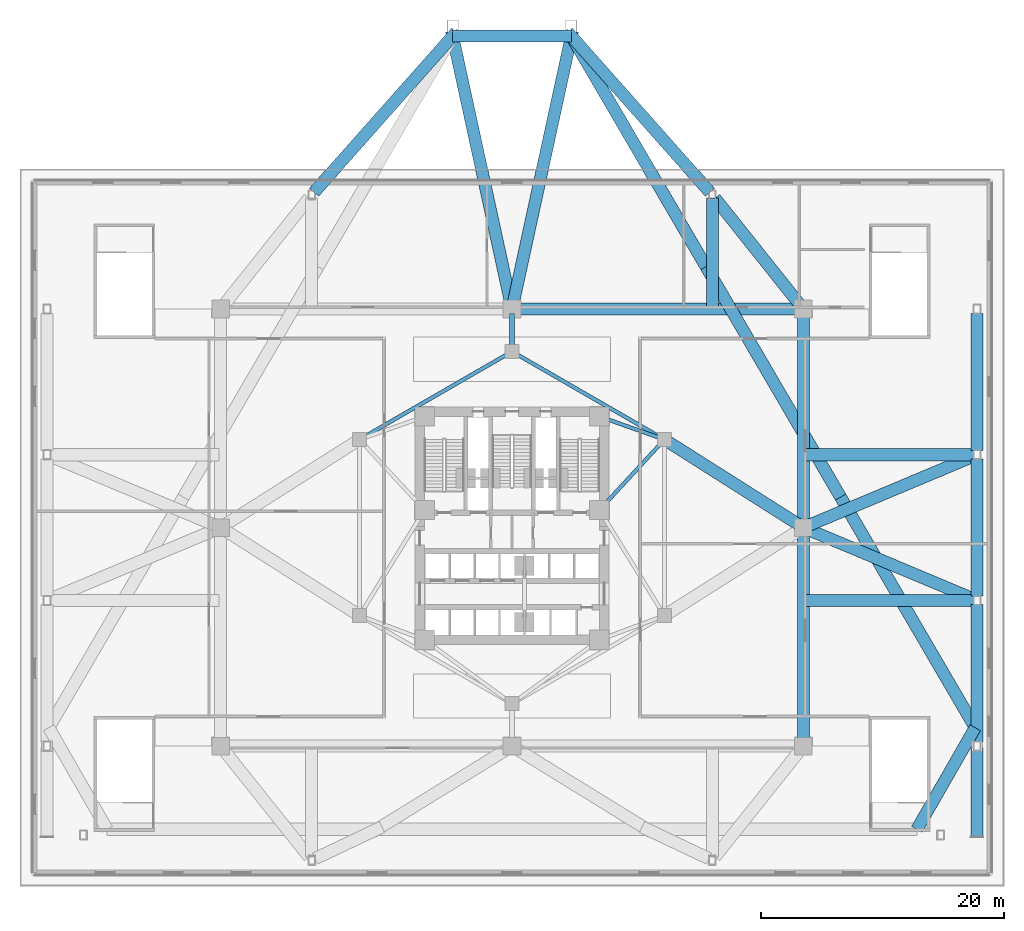
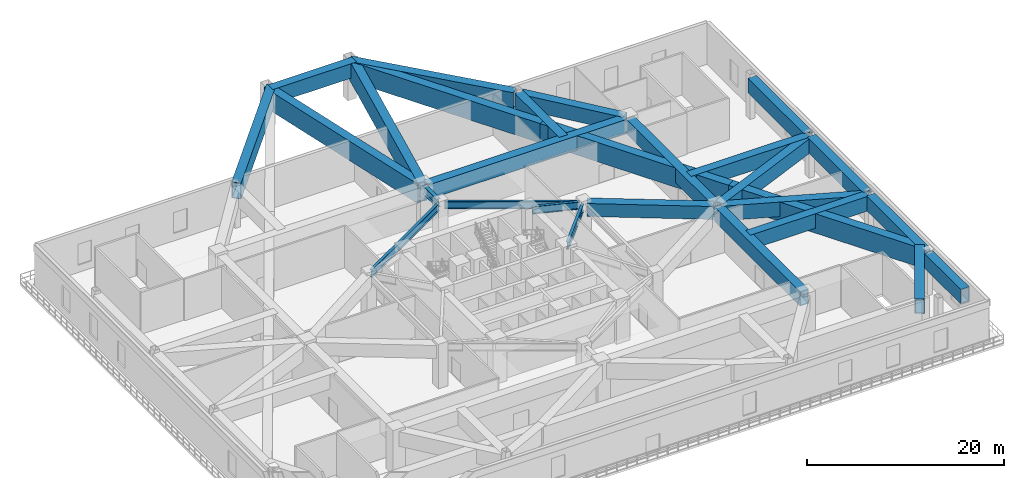
# One storey, part 2 of 15: 28 beams.
"""IFC4 building model written with IfcOpenShell, lengths in metres."""

import ifcopenshell
import ifcopenshell.guid

model = None  # the IFC model being written
_history = None  # IfcOwnerHistory: only IFC2X3 demands one
_inside = {}  # id of a spatial element -> (the spatial element, [elements in it])
_under = {}  # id of a project, library or spatial element -> (it, [spatial elements below it])
_declared = {}  # id of a project -> (the project, [libraries it declares])
_typed = {}  # id of a type object -> (the type object, [elements of that type])
_made_of = {}  # id of a material, layer set ... -> (it, [elements and type objects made of it])


def new_model(schema):
    """Start an empty IFC model of exactly this schema.

    Asked for "IFC4X3", IfcOpenShell would pick the latest addendum, in which some entities
    have other attributes; the version numbers below select the first issue.
    IFC2X3 requires an IfcOwnerHistory on every rooted entity: one is made here for all.
    """
    global model, _history
    if schema == "IFC4X3":
        model = ifcopenshell.file(schema_version=(4, 3, 0, 0))
    else:
        model = ifcopenshell.file(schema=schema)
    _inside.clear()
    _under.clear()
    _declared.clear()
    _typed.clear()
    _made_of.clear()
    _history = None
    if model.schema == "IFC2X3":
        org = make("IfcOrganization", Name="unknown")
        user = make(
            "IfcPersonAndOrganization",
            ThePerson=make("IfcPerson", FamilyName="unknown"),
            TheOrganization=org,
        )
        app = make(
            "IfcApplication",
            ApplicationDeveloper=org,
            Version="unknown",
            ApplicationFullName="unknown",
            ApplicationIdentifier="unknown",
        )
        _history = make(
            "IfcOwnerHistory",
            OwningUser=user,
            OwningApplication=app,
            ChangeAction="ADDED",
            CreationDate=0,
        )
    return model


def make(cls, **values):
    """One entity of the class cls with the attributes given. An attribute that is None is left unset."""
    return model.create_entity(
        cls, **{name: value for name, value in values.items() if value is not None}
    )


def rooted(cls, **values):
    """An entity with a GlobalId (a new one), such as an element, a storey or a relation."""
    return make(cls, GlobalId=ifcopenshell.guid.new(), OwnerHistory=_history, **values)


def si_unit(unit_type, name, prefix=None):
    """IfcSIUnit, for example si_unit("LENGTHUNIT", "METRE", prefix="MILLI")."""
    return make("IfcSIUnit", UnitType=unit_type, Prefix=prefix, Name=name)


def assignment(units):
    """IfcUnitAssignment: the units of a project."""
    return None if units is None else make("IfcUnitAssignment", Units=units)


def point(xyz):
    """IfcCartesianPoint."""
    return None if xyz is None else make("IfcCartesianPoint", Coordinates=xyz)


def direction(xyz):
    """IfcDirection."""
    return None if xyz is None else make("IfcDirection", DirectionRatios=xyz)


def frame(location, z_axis=None, x_axis=None):
    """IfcAxis2Placement3D, a coordinate frame: its origin and axes. An axis left out is left unset."""
    return make(
        "IfcAxis2Placement3D",
        Location=point(location),
        Axis=direction(z_axis),
        RefDirection=direction(x_axis),
    )


def frame_2d(location, x_axis=None):
    """IfcAxis2Placement2D, a coordinate frame in the plane: its origin and x axis."""
    return make(
        "IfcAxis2Placement2D", Location=point(location), RefDirection=direction(x_axis)
    )


def origin():
    """The frame at (0, 0, 0) with its axes left unset."""
    return frame((0.0, 0.0, 0.0))


def origin_2d():
    """The frame at (0, 0) in the plane with its x axis left unset."""
    return frame_2d((0.0, 0.0))


def place(relative_to, where):
    """IfcLocalPlacement: puts the frame where relative to a parent placement (None: the world)."""
    return make(
        "IfcLocalPlacement", PlacementRelTo=relative_to, RelativePlacement=where
    )


def context(
    kind, dimensions, precision=None, world=None, true_north=None, identifier=None
):
    """IfcGeometricRepresentationContext, for example the 3D "Model" context."""
    return make(
        "IfcGeometricRepresentationContext",
        ContextIdentifier=identifier,
        ContextType=kind,
        CoordinateSpaceDimension=dimensions,
        Precision=precision,
        WorldCoordinateSystem=world,
        TrueNorth=true_north,
    )


def subcontext(parent, identifier, kind, view, scale=None):
    """IfcGeometricRepresentationSubContext, for example "Body" below "Model"."""
    return make(
        "IfcGeometricRepresentationSubContext",
        ContextIdentifier=identifier,
        ContextType=kind,
        ParentContext=parent,
        TargetScale=scale,
        TargetView=view,
    )


def project(units=None, contexts=None):
    """IfcProject with its units and contexts."""
    return rooted(
        "IfcProject",
        Name="project",
        RepresentationContexts=contexts,
        UnitsInContext=assignment(units),
    )


def spatial(cls, under=None, at=None, **own):
    """A site, building, storey or space (cls), placed at a placement, below another one or the project."""
    s = rooted(cls, ObjectPlacement=at, **own)
    if under is not None:
        _under.setdefault(under.id(), (under, []))[1].append(s)
    return s


def profile(cls, at=None, kind="AREA", **sizes):
    """A parametric profile (cls). Its sizes go by their IFC names, for example OverallWidth=200.0."""
    return make(cls, ProfileType=kind, Position=at, **sizes)


def hollow_rectangle(**sizes):
    """IfcRectangleHollowProfileDef."""
    return profile("IfcRectangleHollowProfileDef", **sizes)


def i_section(**sizes):
    """IfcIShapeProfileDef."""
    return profile("IfcIShapeProfileDef", **sizes)


def extrude(swept, where, along, depth):
    """IfcExtrudedAreaSolid: the profile swept, set in the frame where, extruded along a direction by depth."""
    return make(
        "IfcExtrudedAreaSolid",
        SweptArea=swept,
        Position=where,
        ExtrudedDirection=direction(along),
        Depth=depth,
    )


def shape(context_of_items, identifier, shape_type, items):
    """IfcShapeRepresentation: the items that make up one representation, for example the "Body"."""
    return make(
        "IfcShapeRepresentation",
        ContextOfItems=context_of_items,
        RepresentationIdentifier=identifier,
        RepresentationType=shape_type,
        Items=items,
    )


def material(Name=None, Category=None):
    """IfcMaterial."""
    return make("IfcMaterial", Name=Name, Category=Category)


def material_profile(
    of_material, cross_section, Name=None, Category=None, Priority=None
):
    """IfcMaterialProfile: a cross section and its material."""
    return make(
        "IfcMaterialProfile",
        Name=Name,
        Material=of_material,
        Profile=cross_section,
        Priority=Priority,
        Category=Category,
    )


def profile_set(profiles, Name=None, composite=None):
    """IfcMaterialProfileSet."""
    return make(
        "IfcMaterialProfileSet",
        Name=Name,
        MaterialProfiles=profiles,
        CompositeProfile=composite,
    )


def made_of(thing, what):
    """Note that an element or type object is made of a material, layer set ...; save() writes the relation."""
    if what is not None:
        _made_of.setdefault(what.id(), (what, []))[1].append(thing)
    return thing


def type_object(cls, material=None, **own):
    """A type object (cls), such as IfcWallType, which elements share."""
    return made_of(rooted(cls, **own), material)


def element(
    cls,
    number,
    at=None,
    inside=None,
    cuts=None,
    type_object=None,
    material=None,
    context=None,
    identifier="Body",
    shape_type=None,
    held_by="IfcProductDefinitionShape",
    body=None,
    shapes=None,
    **own,
):
    """One element of the class cls, such as IfcWall. Its Tag is "e" and its number.

    at: its placement. inside: the storey or other place that contains it. cuts: it is an
    opening in that element (IfcRelVoidsElement). A single representation is given by context,
    identifier, shape_type and body (its items); several are given by shapes. held_by: the class
    of the entity that holds the representations. save() writes the other relations.
    """
    e = rooted(cls, Tag="e%d" % number, ObjectPlacement=at, **own)
    if body is not None:
        shapes = [shape(context, identifier, shape_type, body)]
    if shapes is not None:
        e.Representation = make(held_by, Representations=shapes)
    if inside is not None:
        _inside.setdefault(inside.id(), (inside, []))[1].append(e)
    if cuts is not None:
        rooted(
            "IfcRelVoidsElement", RelatingBuildingElement=cuts, RelatedOpeningElement=e
        )
    if type_object is not None:
        _typed.setdefault(type_object.id(), (type_object, []))[1].append(e)
    return made_of(e, material)


def aggregate(whole, parts):
    """IfcRelAggregates: a whole, such as a stair, and the parts it consists of."""
    return rooted("IfcRelAggregates", RelatingObject=whole, RelatedObjects=parts)


def save(model, path):
    """Write the relations noted so far, then the file.

    IfcRelAggregates (storeys below a building ...), IfcRelContainedInSpatialStructure (elements
    in a storey), IfcRelDefinesByType, IfcRelAssociatesMaterial and IfcRelDeclares: one each for
    every whole, place, type object, material and project.
    """
    for whole, parts in _under.values():
        aggregate(whole, parts)
    for where, things in _inside.values():
        rooted(
            "IfcRelContainedInSpatialStructure",
            RelatedElements=things,
            RelatingStructure=where,
        )
    for kind, things in _typed.values():
        rooted("IfcRelDefinesByType", RelatedObjects=things, RelatingType=kind)
    for what, things in _made_of.values():
        rooted("IfcRelAssociatesMaterial", RelatedObjects=things, RelatingMaterial=what)
    for by, libraries in _declared.values():
        rooted("IfcRelDeclares", RelatingContext=by, RelatedDefinitions=libraries)
    model.write(path)


model = new_model("IFC4")

# Units and contexts
model_context = context("Model", 3, precision=1e-05, world=origin(), true_north=direction((0.0, 1.0)))
body_context = subcontext(model_context, "Body", "Model", "MODEL_VIEW")
ifc_project = project(units=[si_unit("LENGTHUNIT", "METRE"), si_unit("AREAUNIT", "SQUARE_METRE"), si_unit("VOLUMEUNIT", "CUBIC_METRE"), si_unit("PLANEANGLEUNIT", "RADIAN"), si_unit("MASSUNIT", "GRAM", prefix="KILO")], contexts=[model_context])

# Site, building, storey
site_placement = place(None, origin())
site = spatial("IfcSite", under=ifc_project, at=site_placement, CompositionType="ELEMENT")
building_placement = place(site_placement, origin())
building = spatial("IfcBuilding", under=site, at=building_placement, Name="Apsidion Concourse Tower", CompositionType="ELEMENT")
storey_placement = place(building_placement, frame((0.0, 0.0, 23.5)))
storey = spatial("IfcBuildingStorey", under=building, at=storey_placement, Name="L04", CompositionType="ELEMENT", Elevation=23.5)

# Beams
ifc_material_1 = material(Name="Structural steel ASTM A992 Grade 50", Category="steel")
ifc_material_profile_1 = material_profile(ifc_material_1, i_section(OverallWidth=0.31005859375, OverallDepth=0.931884765625, WebThickness=0.02099609375, FlangeThickness=0.034423828125, at=origin_2d()), Name="W36X210")
ifc_profile_set_1 = profile_set([ifc_material_profile_1], Name="Structural steel ASTM A992 Grade 50")
beam_type_1 = type_object("IfcBeamType", Name="BM-G-W36", PredefinedType="USERDEFINED", material=ifc_profile_set_1)
beam_1_placement = place(storey_placement, frame((12.28857421875, 6.956298828125, 4.68408203125), z_axis=(-0.678712876106, -0.73440372535, 0.0), x_axis=(0.73440372535, -0.678712876106, 0.0)))
element("IfcBeam", 1, at=beam_1_placement, inside=storey, type_object=beam_type_1, Name="L04 Core Coupling Girder IC3-SC3", ObjectType="GIRDER", PredefinedType="USERDEFINED", context=body_context, shape_type="SweptSolid", body=[
    extrude(i_section(OverallWidth=0.31005859375, OverallDepth=0.931884765625, WebThickness=0.02099609375, FlangeThickness=0.034423828125, at=origin_2d()), origin(), (0.0, 0.0, 1.0), 7.097412109375),
])
beam_2_placement = place(storey_placement, frame((12.18310546875, 7.383544921875, 4.68408203125), z_axis=(-0.942533844539, 0.334110688094, 0.0), x_axis=(-0.334110688094, -0.942533844539, 0.0)))
element("IfcBeam", 2, at=beam_2_placement, inside=storey, type_object=beam_type_1, Name="L04 Core Coupling Girder IC3-SC4", ObjectType="GIRDER", PredefinedType="USERDEFINED", context=body_context, shape_type="SweptSolid", body=[
    extrude(i_section(OverallWidth=0.31005859375, OverallDepth=0.931884765625, WebThickness=0.02099609375, FlangeThickness=0.034423828125, at=origin_2d()), origin(), (0.0, 0.0, 1.0), 4.886962890625),
])
for number, where, z_axis, x_axis, name in (
    (3, (-12.213623046875, 7.449951171875, 4.68408203125), (0.866070471464, 0.499921932364, 0.0), (-0.499921932364, 0.866070471464, 0.0), "L04 Core Coupling Girder IC5-IC4"),
    (4, (0.346435546875, 14.300048828125, 4.68408203125), (0.866070471464, -0.499921932364, 0.0), (0.499921932364, 0.866070471464, 0.0), "L04 Core Coupling Girder IC4-IC3"),
):
    element("IfcBeam", number, at=place(storey_placement, frame(where, z_axis=z_axis, x_axis=x_axis)), inside=storey, type_object=beam_type_1, Name=name, ObjectType="GIRDER", PredefinedType="USERDEFINED", context=body_context, shape_type="SweptSolid", body=[
        extrude(i_section(OverallWidth=0.31005859375, OverallDepth=0.931884765625, WebThickness=0.02099609375, FlangeThickness=0.034423828125, at=origin_2d()), origin(), (0.0, 0.0, 1.0), 13.702392578125),
    ])
ifc_material_profile_2 = material_profile(ifc_material_1, i_section(OverallWidth=0.408935546875, OverallDepth=1.041015625, WebThickness=0.031005859375, FlangeThickness=0.055908203125, at=origin_2d()), Name="W40X397")
ifc_profile_set_2 = profile_set([ifc_material_profile_2], Name="Structural steel ASTM A992 Grade 50")
beam_type_2 = type_object("IfcBeamType", Name="BM-G-W40H", PredefinedType="USERDEFINED", material=ifc_profile_set_2)
beam_3_placement = place(storey_placement, frame((0.0, 17.64990234375, 4.62939453125), z_axis=(0.0, -1.0, 0.0), x_axis=(1.0, 0.0, 0.0)))
element("IfcBeam", 5, at=beam_3_placement, inside=storey, type_object=beam_type_2, Name="L04 Podium Girder MC8-IC4", ObjectType="GIRDER", PredefinedType="USERDEFINED", context=body_context, shape_type="SweptSolid", body=[
    extrude(i_section(OverallWidth=0.408935546875, OverallDepth=1.041015625, WebThickness=0.031005859375, FlangeThickness=0.055908203125, at=origin_2d()), origin(), (0.0, 0.0, 1.0), 2.7998046875),
])
ifc_material_2 = material(Name="Structural steel ASTM A572 Grade 50", Category="steel")
ifc_material_profile_3 = material_profile(ifc_material_2, hollow_rectangle(XDim=1.0, YDim=1.60009765625, WallThickness=0.074951171875, at=origin_2d()), Name="BOX1600X1000X75")
ifc_profile_set_3 = profile_set([ifc_material_profile_3], Name="Structural steel ASTM A572 Grade 50")
beam_type_3 = type_object("IfcBeamType", Name="BM-TR-1600", PredefinedType="USERDEFINED", material=ifc_profile_set_3)
beam_4_placement = place(storey_placement, frame((23.704345703125, 0.1875, 4.35009765625), z_axis=(-0.844671254714, 0.535285411215, 0.0), x_axis=(-0.535285411215, -0.844671254714, 0.0)))
element("IfcBeam", 6, at=beam_4_placement, inside=storey, type_object=beam_type_3, Name="L04 Podium Girder MC4-IC3", ObjectType="GIRDER", PredefinedType="USERDEFINED", context=body_context, shape_type="SweptSolid", body=[
    extrude(hollow_rectangle(XDim=1.0, YDim=1.60009765625, WallThickness=0.074951171875, at=origin_2d()), origin(), (0.0, 0.0, 1.0), 12.843505859375),
])
ifc_material_profile_4 = material_profile(ifc_material_2, hollow_rectangle(XDim=1.0, YDim=1.800048828125, WallThickness=0.080078125, at=origin_2d()), Name="BOX1800X1000X80")
ifc_profile_set_4 = profile_set([ifc_material_profile_4], Name="Structural steel ASTM A572 Grade 50")
beam_type_4 = type_object("IfcBeamType", Name="BM-TR-1800", PredefinedType="USERDEFINED", material=ifc_profile_set_4)
for number, where, z_axis, x_axis, name in (
    (7, (24.0, -17.64990234375, 4.25), (0.0, 1.0, 0.0), (-1.0, 0.0, 0.0), "L04 Podium Transfer Collector Girder MC2-MC4"),
    (8, (24.0, 0.35009765625, 4.25), (0.0, 1.0, 0.0), (-1.0, 0.0, 0.0), "L04 Podium Transfer Collector Girder MC4-MC6"),
):
    element("IfcBeam", number, at=place(storey_placement, frame(where, z_axis=z_axis, x_axis=x_axis)), inside=storey, type_object=beam_type_4, Name=name, ObjectType="GIRDER", PredefinedType="USERDEFINED", context=body_context, shape_type="SweptSolid", body=[
        extrude(hollow_rectangle(XDim=1.0, YDim=1.800048828125, WallThickness=0.080078125, at=origin_2d()), origin(), (0.0, 0.0, 1.0), 17.2998046875),
    ])
beam_5_placement = place(storey_placement, frame((0.35009765625, 18.0, 4.25), z_axis=(1.0, 0.0, 0.0), x_axis=(0.0, 1.0, 0.0)))
element("IfcBeam", 9, at=beam_5_placement, inside=storey, type_object=beam_type_4, Name="L04 Podium Transfer Collector Girder MC8-MC6", ObjectType="GIRDER", PredefinedType="USERDEFINED", context=body_context, shape_type="SweptSolid", body=[
    extrude(hollow_rectangle(XDim=1.0, YDim=1.800048828125, WallThickness=0.080078125, at=origin_2d()), origin(), (0.0, 0.0, 1.0), 23.2998046875),
])
beam_6_placement = place(storey_placement, frame((38.050048828125, -6.0, 4.25), z_axis=(-1.0, 0.0, 0.0), x_axis=(0.0, -1.0, 0.0)))
element("IfcBeam", 10, at=beam_6_placement, inside=storey, type_object=beam_type_4, Name="L04 Podium Radial Frame Girder PC06", ObjectType="GIRDER", PredefinedType="USERDEFINED", context=body_context, shape_type="SweptSolid", body=[
    extrude(hollow_rectangle(XDim=1.0, YDim=1.800048828125, WallThickness=0.080078125, at=origin_2d()), origin(), (0.0, 0.0, 1.0), 13.900146484375),
])
beam_7_placement = place(storey_placement, frame((37.977294921875, -5.864501953125, 4.25), z_axis=(-0.92212437548, 0.386893572118, 0.0), x_axis=(-0.386893572118, -0.92212437548, 0.0)))
element("IfcBeam", 11, at=beam_7_placement, inside=storey, type_object=beam_type_4, Name="L04 Podium Diagonal Frame Tie PC06", ObjectType="GIRDER", PredefinedType="USERDEFINED", context=body_context, shape_type="SweptSolid", body=[
    extrude(hollow_rectangle(XDim=1.0, YDim=1.800048828125, WallThickness=0.080078125, at=origin_2d()), origin(), (0.0, 0.0, 1.0), 14.8076171875),
])
beam_8_placement = place(storey_placement, frame((38.050048828125, 6.0, 4.25), z_axis=(-1.0, 0.0, 0.0), x_axis=(0.0, -1.0, 0.0)))
element("IfcBeam", 12, at=beam_8_placement, inside=storey, type_object=beam_type_4, Name="L04 Podium Radial Frame Girder PC07", ObjectType="GIRDER", PredefinedType="USERDEFINED", context=body_context, shape_type="SweptSolid", body=[
    extrude(hollow_rectangle(XDim=1.0, YDim=1.800048828125, WallThickness=0.080078125, at=origin_2d()), origin(), (0.0, 0.0, 1.0), 13.900146484375),
])
beam_9_placement = place(storey_placement, frame((37.977294921875, 5.864501953125, 4.25), z_axis=(-0.92212437548, -0.386893572118, 0.0), x_axis=(0.386893572118, -0.92212437548, 0.0)))
element("IfcBeam", 13, at=beam_9_placement, inside=storey, type_object=beam_type_4, Name="L04 Podium Diagonal Frame Tie PC07", ObjectType="GIRDER", PredefinedType="USERDEFINED", context=body_context, shape_type="SweptSolid", body=[
    extrude(hollow_rectangle(XDim=1.0, YDim=1.800048828125, WallThickness=0.080078125, at=origin_2d()), origin(), (0.0, 0.0, 1.0), 14.8076171875),
])
beam_10_placement = place(storey_placement, frame((16.5, 27.14990234375, 4.25), z_axis=(0.0, -1.0, 0.0), x_axis=(1.0, 0.0, 0.0)))
element("IfcBeam", 14, at=beam_10_placement, inside=storey, type_object=beam_type_4, Name="L04 Podium Radial Frame Girder PC12", ObjectType="GIRDER", PredefinedType="USERDEFINED", context=body_context, shape_type="SweptSolid", body=[
    extrude(hollow_rectangle(XDim=1.0, YDim=1.800048828125, WallThickness=0.080078125, at=origin_2d()), origin(), (0.0, 0.0, 1.0), 9.0),
])
beam_11_placement = place(storey_placement, frame((16.71826171875, 27.12646484375, 4.25), z_axis=(0.623685030382, -0.781675753031, 0.0), x_axis=(0.781675753031, 0.623685030382, 0.0)))
element("IfcBeam", 15, at=beam_11_placement, inside=storey, type_object=beam_type_4, Name="L04 Podium Diagonal Frame Tie PC12", ObjectType="GIRDER", PredefinedType="USERDEFINED", context=body_context, shape_type="SweptSolid", body=[
    extrude(hollow_rectangle(XDim=1.0, YDim=1.800048828125, WallThickness=0.080078125, at=origin_2d()), origin(), (0.0, 0.0, 1.0), 11.325439453125),
])
for number, where, z_axis, x_axis, name in (
    (16, (38.300048828125, -17.64990234375, 4.25), (0.0, 1.0, 0.0), (-1.0, 0.0, 0.0), "L04 Podium Spandrel Girder PC05-PC06"),
    (17, (38.300048828125, -5.64990234375, 4.25), (0.0, 1.0, 0.0), (-1.0, 0.0, 0.0), "L04 Podium Spandrel Girder PC06-PC07"),
    (18, (38.300048828125, 6.35009765625, 4.25), (0.0, 1.0, 0.0), (-1.0, 0.0, 0.0), "L04 Podium Spandrel Girder PC07-PC08"),
):
    element("IfcBeam", number, at=place(storey_placement, frame(where, z_axis=z_axis, x_axis=x_axis)), inside=storey, type_object=beam_type_4, Name=name, ObjectType="GIRDER", PredefinedType="USERDEFINED", context=body_context, shape_type="SweptSolid", body=[
        extrude(hollow_rectangle(XDim=1.0, YDim=1.800048828125, WallThickness=0.080078125, at=origin_2d()), origin(), (0.0, 0.0, 1.0), 11.2998046875),
    ])
beam_12_placement = place(storey_placement, frame((38.300048828125, -18.10009765625, 4.25), z_axis=(0.0, -1.0, 0.0), x_axis=(1.0, 0.0, 0.0)))
element("IfcBeam", 19, at=beam_12_placement, inside=storey, type_object=beam_type_4, Name="L05 Base Corner Transfer Leg NS-E", ObjectType="GIRDER", PredefinedType="USERDEFINED", context=body_context, shape_type="SweptSolid", body=[
    extrude(hollow_rectangle(XDim=1.0, YDim=1.800048828125, WallThickness=0.080078125, at=origin_2d()), origin(), (0.0, 0.0, 1.0), 7.349853515625),
])
beam_13_placement = place(storey_placement, frame((33.35009765625, -24.85009765625, 4.25), z_axis=(0.497835450626, 0.867271505412, 0.0), x_axis=(-0.867271505412, 0.497835450626, 0.0)))
element("IfcBeam", 20, at=beam_13_placement, inside=storey, type_object=beam_type_4, Name="L05 Base Transfer Ring Girder TR-08", ObjectType="GIRDER", PredefinedType="USERDEFINED", context=body_context, shape_type="SweptSolid", body=[
    extrude(hollow_rectangle(XDim=1.0, YDim=1.800048828125, WallThickness=0.080078125, at=origin_2d()), origin(), (0.0, 0.0, 1.0), 9.649658203125),
])
beam_14_placement = place(storey_placement, frame((4.887451171875, 40.481201171875, 4.25), z_axis=(-1.0, 0.0, 0.0), x_axis=(0.0, -1.0, 0.0)))
element("IfcBeam", 21, at=beam_14_placement, inside=storey, type_object=beam_type_4, Name="L05 Base Transfer Ring Girder TR-12", ObjectType="GIRDER", PredefinedType="USERDEFINED", context=body_context, shape_type="SweptSolid", body=[
    extrude(hollow_rectangle(XDim=1.0, YDim=1.800048828125, WallThickness=0.080078125, at=origin_2d()), origin(), (0.0, 0.0, 1.0), 9.77490234375),
])
ifc_material_profile_5 = material_profile(ifc_material_2, hollow_rectangle(XDim=1.0, YDim=2.0, WallThickness=0.080078125, at=origin_2d()), Name="BOX2000X1000X80")
ifc_profile_set_5 = profile_set([ifc_material_profile_5], Name="Structural steel ASTM A572 Grade 50")
beam_type_5 = type_object("IfcBeamType", Name="BM-TR-2000", PredefinedType="USERDEFINED", material=ifc_profile_set_5)
for number, where, z_axis, x_axis, name in (
    (22, (-16.30078125, 27.62451171875, 4.14990234375), (0.663879242668, 0.747839789764, 0.0), (-0.747839789764, 0.663879242668, 0.0), "L05 Base Radial Transfer Girder TRR-01A"),
    (23, (16.30078125, 27.62451171875, 4.14990234375), (-0.663879242668, 0.747839789764, 0.0), (-0.747839789764, -0.663879242668, 0.0), "L05 Base Radial Transfer Girder TRR-12A"),
):
    element("IfcBeam", number, at=place(storey_placement, frame(where, z_axis=z_axis, x_axis=x_axis)), inside=storey, type_object=beam_type_5, Name=name, ObjectType="GIRDER", PredefinedType="USERDEFINED", context=body_context, shape_type="SweptSolid", body=[
        extrude(hollow_rectangle(XDim=1.0, YDim=2.0, WallThickness=0.080078125, at=origin_2d()), origin(), (0.0, 0.0, 1.0), 17.6416015625),
    ])
ifc_material_profile_6 = material_profile(ifc_material_2, hollow_rectangle(XDim=1.0, YDim=2.39990234375, WallThickness=0.080078125, at=origin_2d()), Name="BOX2400X1000X80")
ifc_profile_set_6 = profile_set([ifc_material_profile_6], Name="Structural steel ASTM A572 Grade 50")
beam_type_6 = type_object("IfcBeamType", Name="BM-TR-2400", PredefinedType="USERDEFINED", material=ifc_profile_set_6)
for number, where, z_axis, x_axis, name in (
    (24, (-0.063720703125, 18.293212890625, 3.949951171875), (-0.212444964261, 0.977173033378, 0.0), (-0.977173033378, -0.212444964261, 0.0), "L05 Base Radial Transfer Girder TRR-01B"),
    (25, (0.063720703125, 18.293212890625, 3.949951171875), (0.212444964261, 0.977173033378, 0.0), (-0.977173033378, 0.212444964261, 0.0), "L05 Base Radial Transfer Girder TRR-12B"),
):
    element("IfcBeam", number, at=place(storey_placement, frame(where, z_axis=z_axis, x_axis=x_axis)), inside=storey, type_object=beam_type_6, Name=name, ObjectType="GIRDER", PredefinedType="USERDEFINED", context=body_context, shape_type="SweptSolid", body=[
        extrude(hollow_rectangle(XDim=1.0, YDim=2.39990234375, WallThickness=0.080078125, at=origin_2d()), origin(), (0.0, 0.0, 1.0), 23.15625),
    ])
beam_15_placement = place(storey_placement, frame((38.154052734375, -16.481201171875, 3.949951171875), z_axis=(-0.504305192923, 0.863525490296, 0.0), x_axis=(-0.863525490296, -0.504305192923, 0.0)))
element("IfcBeam", 26, at=beam_15_placement, inside=storey, type_object=beam_type_6, Name="L05 Base Transfer Ring Girder TR-09", ObjectType="GIRDER", PredefinedType="USERDEFINED", context=body_context, shape_type="SweptSolid", body=[
    extrude(hollow_rectangle(XDim=1.0, YDim=2.39990234375, WallThickness=0.080078125, at=origin_2d()), origin(), (0.0, 0.0, 1.0), 21.988525390625),
])
beam_16_placement = place(storey_placement, frame((27.065185546875, 2.50634765625, 3.949951171875), z_axis=(-0.504310028167, 0.86352266646, 0.0), x_axis=(-0.86352266646, -0.504310028167, 0.0)))
element("IfcBeam", 27, at=beam_16_placement, inside=storey, type_object=beam_type_6, Name="L05 Base Transfer Ring Girder TR-10", ObjectType="GIRDER", PredefinedType="USERDEFINED", context=body_context, shape_type="SweptSolid", body=[
    extrude(hollow_rectangle(XDim=1.0, YDim=2.39990234375, WallThickness=0.080078125, at=origin_2d()), origin(), (0.0, 0.0, 1.0), 21.98828125),
])
beam_17_placement = place(storey_placement, frame((15.976318359375, 21.49365234375, 3.949951171875), z_axis=(-0.504305192923, 0.863525490296, 0.0), x_axis=(-0.863525490296, -0.504305192923, 0.0)))
element("IfcBeam", 28, at=beam_17_placement, inside=storey, type_object=beam_type_6, Name="L05 Base Transfer Ring Girder TR-11", ObjectType="GIRDER", PredefinedType="USERDEFINED", context=body_context, shape_type="SweptSolid", body=[
    extrude(hollow_rectangle(XDim=1.0, YDim=2.39990234375, WallThickness=0.080078125, at=origin_2d()), origin(), (0.0, 0.0, 1.0), 21.988525390625),
])

save(model, "model.ifc")
